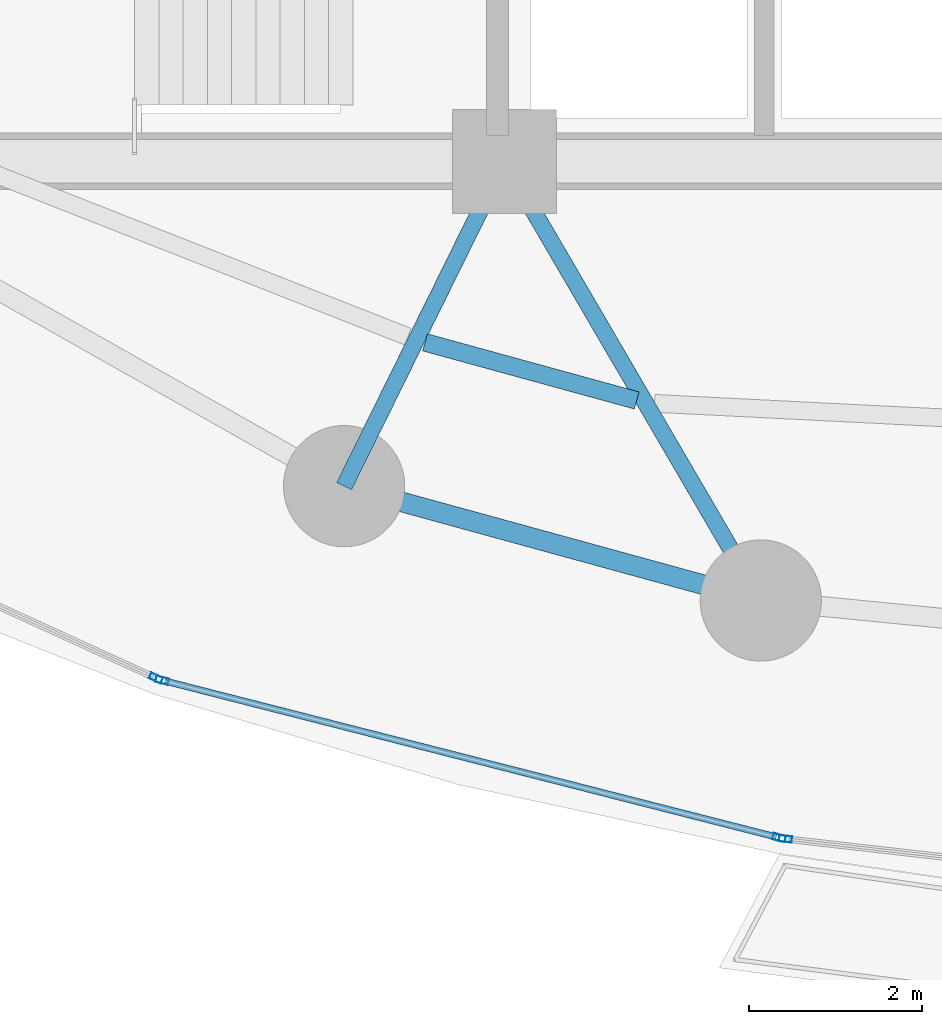
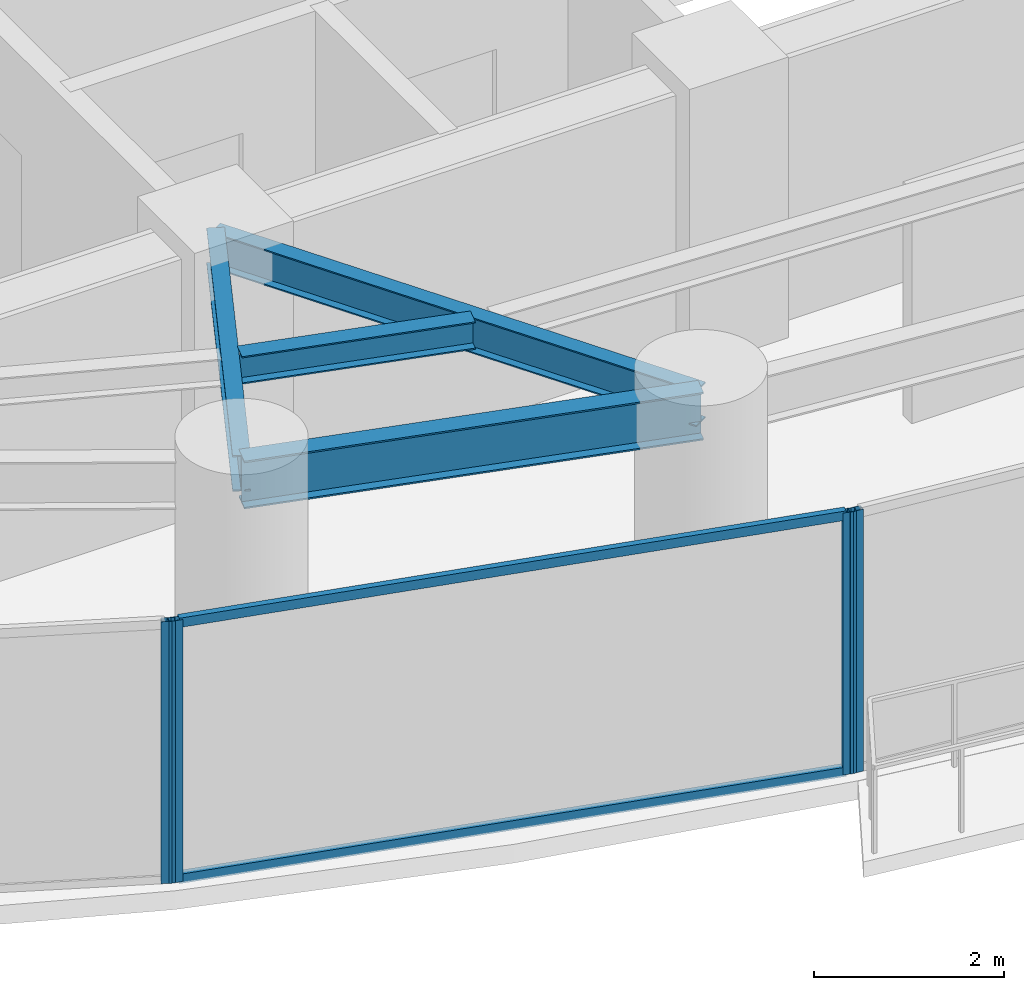
# One storey, part 5 of 33: 6 members, 4 beams, 3 elements without a shape of their own.
"""IFC4 building model written with IfcOpenShell, lengths in metres."""

from ifc_helpers import new_model, si_unit, direction, frame, origin, origin_2d, place, context, subcontext, project, spatial, hollow_rectangle, i_section, extrude, material, layer, layer_set, material_profile, profile_set, type_object, element, aggregate, save


model = new_model("IFC4")

# Units and contexts
model_context = context("Model", 3, precision=1e-05, world=origin(), true_north=direction((0.0, 1.0)))
body_context = subcontext(model_context, "Body", "Model", "MODEL_VIEW")
ifc_project = project(units=[si_unit("LENGTHUNIT", "METRE"), si_unit("AREAUNIT", "SQUARE_METRE"), si_unit("VOLUMEUNIT", "CUBIC_METRE"), si_unit("PLANEANGLEUNIT", "RADIAN"), si_unit("MASSUNIT", "GRAM", prefix="KILO")], contexts=[model_context])

# Site, building, storey
site_placement = place(None, origin())
site = spatial("IfcSite", under=ifc_project, at=site_placement, CompositionType="ELEMENT")
building_placement = place(site_placement, origin())
building = spatial("IfcBuilding", under=site, at=building_placement, Name="Kazevale Care Tower and Concert Hall", CompositionType="ELEMENT")
storey_placement = place(building_placement, frame((0.0, 0.0, 52.800048828125)))
storey = spatial("IfcBuildingStorey", under=building, at=storey_placement, Name="L13", CompositionType="ELEMENT", Elevation=52.800048828125)

# Curtain wall, member
ifc_material_1 = material(Name="Aluminium 6063-T6 and Low-E Glass", Category="aluminium")
ifc_layer = layer(ifc_material_1, 0.179931640625)
ifc_layer_set = layer_set([ifc_layer], Name="Aluminium 6063-T6 and Low-E Glass")
curtain_wall_type = type_object("IfcCurtainWallType", Name="Sheltered Concave Balcony Curtain Wall CW-5", PredefinedType="NOTDEFINED", material=ifc_layer_set)
curtain_wall_1_placement = place(storey_placement, origin())
curtain_wall_1 = element("IfcCurtainWall", 1, at=curtain_wall_1_placement, inside=storey, type_object=curtain_wall_type, Name="cw:L13:f07", PredefinedType="NOTDEFINED")
ifc_material_2 = material(Name="Aluminium 6063-T6", Category="aluminium")
ifc_material_profile_1 = material_profile(ifc_material_2, hollow_rectangle(XDim=0.074951171875, YDim=0.14990234375, WallThickness=0.00390625, at=origin_2d()), Name="ALU75x150x4")
ifc_profile_set_1 = profile_set([ifc_material_profile_1], Name="Aluminium 6063-T6")
member_type_1 = type_object("IfcMemberType", Name="CW-5 Mullion ALU75x150x4", PredefinedType="MULLION", material=ifc_profile_set_1)
member_1_placement = place(storey_placement, frame((33.245361328125, 15.77783203125, 0.0), z_axis=(0.0, 0.0, 1.0), x_axis=(-0.113704773808, -0.993514581883, 0.0)))
member_1 = element("IfcMember", 2, at=member_1_placement, type_object=member_type_1, Name="CW-5 mullion 2", PredefinedType="MULLION", context=body_context, shape_type="SweptSolid", body=[
    extrude(hollow_rectangle(XDim=0.074951171875, YDim=0.14990234375, WallThickness=0.00390625, at=origin_2d()), origin(), (0.0, 0.0, 1.0), 3.35986328125),
])
aggregate(curtain_wall_1, [member_1])

# Curtain wall, members
curtain_wall_2_placement = place(storey_placement, origin())
curtain_wall_2 = element("IfcCurtainWall", 3, at=curtain_wall_2_placement, inside=storey, type_object=curtain_wall_type, Name="cw:L13:f08", PredefinedType="NOTDEFINED")
member_2_placement = place(storey_placement, frame((33.171630859375, 15.791259765625, 0.0), z_axis=(0.0, 0.0, 1.0), x_axis=(-0.247221864936, -0.968958899798, 0.0)))
member_2 = element("IfcMember", 4, at=member_2_placement, type_object=member_type_1, Name="CW-5 mullion 1", PredefinedType="MULLION", context=body_context, shape_type="SweptSolid", body=[
    extrude(hollow_rectangle(XDim=0.074951171875, YDim=0.14990234375, WallThickness=0.00390625, at=origin_2d()), origin(), (0.0, 0.0, 1.0), 3.35986328125),
])
member_3_placement = place(storey_placement, frame((26.04833984375, 17.608642578125, 0.0), z_axis=(0.0, 0.0, 1.0), x_axis=(-0.247221864936, -0.968958899798, 0.0)))
member_3 = element("IfcMember", 5, at=member_3_placement, type_object=member_type_1, Name="CW-5 mullion 2", PredefinedType="MULLION", context=body_context, shape_type="SweptSolid", body=[
    extrude(hollow_rectangle(XDim=0.074951171875, YDim=0.14990234375, WallThickness=0.00390625, at=origin_2d()), origin(), (0.0, 0.0, 1.0), 3.35986328125),
])

# Curtain wall, member
curtain_wall_3_placement = place(storey_placement, origin())
curtain_wall_3 = element("IfcCurtainWall", 6, at=curtain_wall_3_placement, inside=storey, type_object=curtain_wall_type, Name="cw:L13:f09", PredefinedType="NOTDEFINED")
member_4_placement = place(storey_placement, frame((25.977783203125, 17.633544921875, 0.0), z_axis=(0.0, 0.0, 1.0), x_axis=(-0.415659767773, -0.909520179795, 0.0)))
member_4 = element("IfcMember", 7, at=member_4_placement, type_object=member_type_1, Name="CW-5 mullion 1", PredefinedType="MULLION", context=body_context, shape_type="SweptSolid", body=[
    extrude(hollow_rectangle(XDim=0.074951171875, YDim=0.14990234375, WallThickness=0.00390625, at=origin_2d()), origin(), (0.0, 0.0, 1.0), 3.35986328125),
])
aggregate(curtain_wall_3, [member_4])

# Member
ifc_material_profile_2 = material_profile(ifc_material_2, hollow_rectangle(XDim=0.074951171875, YDim=0.1201171875, WallThickness=0.00390625, at=origin_2d()), Name="ALU75x120x4")
ifc_profile_set_2 = profile_set([ifc_material_profile_2], Name="Aluminium 6063-T6")
member_type_2 = type_object("IfcMemberType", Name="CW-5 Transom ALU75x120x4", PredefinedType="USERDEFINED", material=ifc_profile_set_2)
member_5_placement = place(storey_placement, frame((33.13525390625, 15.800537109375, 0.037353515625), z_axis=(-0.968960816419, 0.24721435283, 0.0), x_axis=(-0.24721435283, -0.968960816419, 0.0)))
member_5 = element("IfcMember", 8, at=member_5_placement, type_object=member_type_2, Name="CW-5 transom 1.1", ObjectType="TRANSOM", PredefinedType="USERDEFINED", context=body_context, shape_type="SweptSolid", body=[
    extrude(hollow_rectangle(XDim=0.074951171875, YDim=0.1201171875, WallThickness=0.00390625, at=origin_2d()), origin(), (0.0, 0.0, 1.0), 7.2763671875),
])

member_6_placement = place(storey_placement, frame((33.13525390625, 15.800537109375, 3.322509765625), z_axis=(-0.968960816419, 0.24721435283, 0.0), x_axis=(-0.24721435283, -0.968960816419, 0.0)))
member_6 = element("IfcMember", 9, at=member_6_placement, type_object=member_type_2, Name="CW-5 transom 1.2", ObjectType="TRANSOM", PredefinedType="USERDEFINED", context=body_context, shape_type="SweptSolid", body=[
    extrude(hollow_rectangle(XDim=0.074951171875, YDim=0.1201171875, WallThickness=0.00390625, at=origin_2d()), origin(), (0.0, 0.0, 1.0), 7.2763671875),
])

aggregate(curtain_wall_2, [member_2, member_3, member_5, member_6])

# Beams
ifc_material_3 = material(Name="Steel ASTM A572 Gr 50", Category="steel")
ifc_material_profile_3 = material_profile(ifc_material_3, i_section(OverallWidth=0.19091796875, OverallDepth=0.4599609375, WebThickness=0.010009765625, FlangeThickness=0.01611328125, at=origin_2d()), Name="W460x82")
ifc_profile_set_3 = profile_set([ifc_material_profile_3], Name="Steel ASTM A572 Gr 50")
beam_type_1 = type_object("IfcBeamType", Name="Radial Floor Beam W460x82", PredefinedType="BEAM", material=ifc_profile_set_3)
beam_1_placement = place(storey_placement, frame((30.0, 23.60009765625, 3.1298828125), z_axis=(-0.442443019162, -0.896796618412, 0.0), x_axis=(0.896796618412, -0.442443019162, 0.0)))
element("IfcBeam", 10, at=beam_1_placement, inside=storey, type_object=beam_type_1, Name="beam:L13:rad:11", PredefinedType="BEAM", context=body_context, shape_type="SweptSolid", body=[
    extrude(i_section(OverallWidth=0.19091796875, OverallDepth=0.4599609375, WebThickness=0.010009765625, FlangeThickness=0.01611328125, at=origin_2d()), origin(), (0.0, 0.0, 1.0), 4.181640625),
])
beam_2_placement = place(storey_placement, frame((30.0, 23.60009765625, 3.1298828125), z_axis=(0.50417868077, -0.86359936189, 0.0), x_axis=(0.86359936189, 0.50417868077, 0.0)))
element("IfcBeam", 11, at=beam_2_placement, inside=storey, type_object=beam_type_1, Name="beam:L13:rad:12", PredefinedType="BEAM", context=body_context, shape_type="SweptSolid", body=[
    extrude(i_section(OverallWidth=0.19091796875, OverallDepth=0.4599609375, WebThickness=0.010009765625, FlangeThickness=0.01611328125, at=origin_2d()), origin(), (0.0, 0.0, 1.0), 5.870849609375),
])
ifc_material_profile_4 = material_profile(ifc_material_3, i_section(OverallWidth=0.22900390625, OverallDepth=0.612060546875, WebThickness=0.011962890625, FlangeThickness=0.01953125, at=origin_2d()), Name="W610x125")
ifc_profile_set_4 = profile_set([ifc_material_profile_4], Name="Steel ASTM A572 Gr 50")
beam_type_2 = type_object("IfcBeamType", Name="Ring Spandrel Beam W610x125", PredefinedType="SPANDREL", material=ifc_profile_set_4)
beam_3_placement = place(storey_placement, frame((28.14990234375, 19.85009765625, 3.053955078125), z_axis=(0.964343540473, -0.264653615031, 0.0), x_axis=(0.264653615031, 0.964343540473, 0.0)))
element("IfcBeam", 12, at=beam_3_placement, inside=storey, type_object=beam_type_2, Name="beam:L13:ring:11", PredefinedType="SPANDREL", context=body_context, shape_type="SweptSolid", body=[
    extrude(i_section(OverallWidth=0.22900390625, OverallDepth=0.612060546875, WebThickness=0.011962890625, FlangeThickness=0.01953125, at=origin_2d()), origin(), (0.0, 0.0, 1.0), 4.98779296875),
])
ifc_material_profile_5 = material_profile(ifc_material_3, i_section(OverallWidth=0.205078125, OverallDepth=0.35400390625, WebThickness=0.009521484375, FlangeThickness=0.016845703125, at=origin_2d()), Name="W360x79")
ifc_profile_set_5 = profile_set([ifc_material_profile_5], Name="Steel ASTM A572 Gr 50")
beam_type_3 = type_object("IfcBeamType", Name="Secondary Floor Joist W360x79", PredefinedType="JOIST", material=ifc_profile_set_5)
beam_4_placement = place(storey_placement, frame((29.083984375, 21.510009765625, 3.182861328125), z_axis=(0.964302027389, -0.264804833743, 0.0), x_axis=(0.264804833743, 0.964302027389, 0.0)))
element("IfcBeam", 13, at=beam_4_placement, inside=storey, type_object=beam_type_3, Name="beam:L13:joist:11", PredefinedType="JOIST", context=body_context, shape_type="SweptSolid", body=[
    extrude(i_section(OverallWidth=0.205078125, OverallDepth=0.35400390625, WebThickness=0.009521484375, FlangeThickness=0.016845703125, at=origin_2d()), origin(), (0.0, 0.0, 1.0), 2.533447265625),
])

save(model, "model.ifc")
